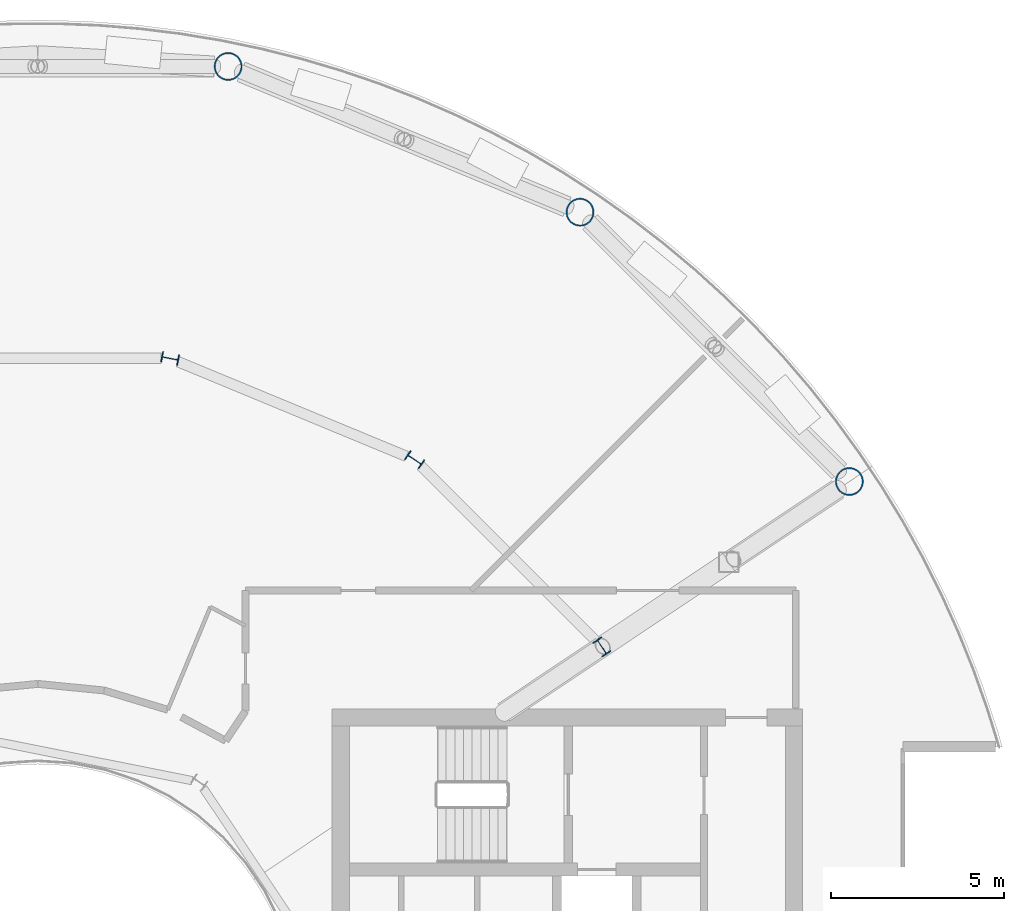
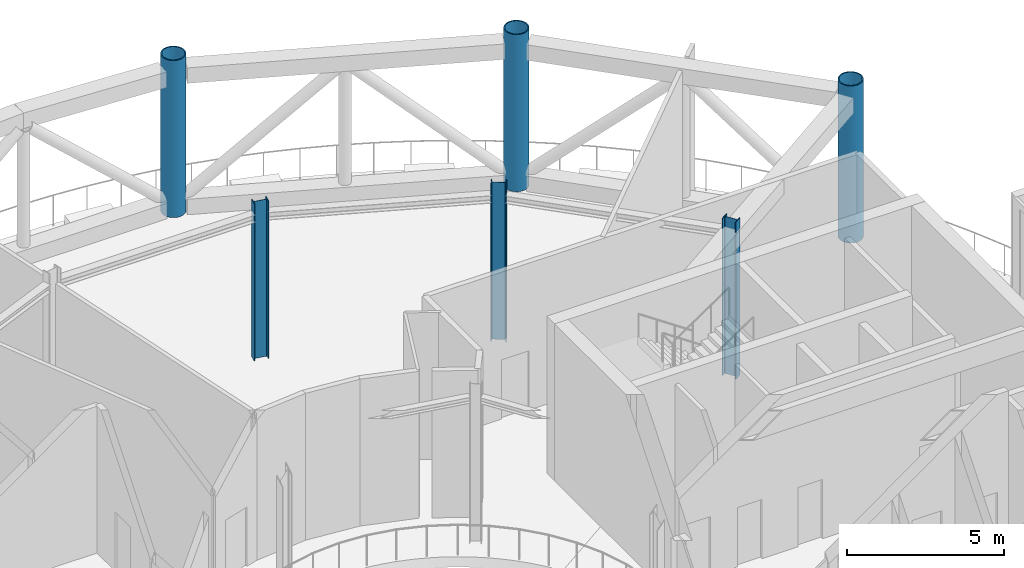
# One storey, part 4 of 24: 6 columns.
"""IFC4 building model written with IfcOpenShell, lengths in metres."""

from ifc_helpers import new_model, si_unit, direction, frame, origin, origin_2d, place, context, subcontext, project, spatial, hollow_circle, i_section, extrude, material, material_profile, profile_set, type_object, element, save


model = new_model("IFC4")

# Units and contexts
model_context = context("Model", 3, precision=1e-05, world=origin(), true_north=direction((0.0, 1.0)))
body_context = subcontext(model_context, "Body", "Model", "MODEL_VIEW")
ifc_project = project(units=[si_unit("LENGTHUNIT", "METRE"), si_unit("AREAUNIT", "SQUARE_METRE"), si_unit("VOLUMEUNIT", "CUBIC_METRE"), si_unit("PLANEANGLEUNIT", "RADIAN"), si_unit("MASSUNIT", "GRAM", prefix="KILO")], contexts=[model_context])

# Site, building, storey
site_placement = place(None, origin())
site = spatial("IfcSite", under=ifc_project, at=site_placement, CompositionType="ELEMENT")
building_placement = place(site_placement, origin())
building = spatial("IfcBuilding", under=site, at=building_placement, Name="Maasbend Ring Residences", CompositionType="ELEMENT")
storey_placement = place(building_placement, frame((0.0, 0.0, 179.89990234375)))
storey = spatial("IfcBuildingStorey", under=building, at=storey_placement, Name="L52", CompositionType="ELEMENT", Elevation=179.89990234375)

# Columns
ifc_material_1 = material(Name="Composite concrete-filled steel tube S460NH / C80/95", Category="concrete")
ifc_material_profile_1 = material_profile(ifc_material_1, hollow_circle(Radius=0.406494140625, WallThickness=0.0400390625, at=origin_2d()), Name="Composite tube column CHS 813x40")
ifc_profile_set_1 = profile_set([ifc_material_profile_1], Name="Composite concrete-filled steel tube S460NH / C80/95")
column_type_1 = type_object("IfcColumnType", Name="Composite tube column CHS 813x40", PredefinedType="COLUMN", material=ifc_profile_set_1)
for number, where, z_axis, x_axis, name in (
    (1, (23.447509765625, 15.6669921875, 0.0), (0.0, 0.0, 1.0), (1.0, 0.0, 0.0), "Outer column R2"),
    (2, (15.6669921875, 23.447509765625, 0.0), (0.0, 0.0, 1.0), (1.0, 0.0, 0.0), "Outer column R3"),
    (3, (5.50146484375, 27.658203125, 0.0), (0.0, 0.0, 1.0), (1.0, 0.0, 0.0), "Outer column R4"),
):
    element("IfcColumn", number, at=place(storey_placement, frame(where, z_axis=z_axis, x_axis=x_axis)), inside=storey, type_object=column_type_1, Name=name, PredefinedType="COLUMN", context=body_context, shape_type="SweptSolid", body=[
        extrude(hollow_circle(Radius=0.406494140625, WallThickness=0.0400390625, at=origin_2d()), origin(), (0.0, 0.0, 1.0), 6.10009765625),
    ])
ifc_material_2 = material(Name="Steel S355J2", Category="steel")
ifc_material_profile_2 = material_profile(ifc_material_2, i_section(OverallWidth=0.300048828125, OverallDepth=0.5, WebThickness=0.014404296875, FlangeThickness=0.028076171875, FilletRadius=0.027099609375, at=origin_2d()), Name="HEB 500")
ifc_profile_set_2 = profile_set([ifc_material_profile_2], Name="Steel S355J2")
column_type_2 = type_object("IfcColumnType", Name="Steel column HEB 500", PredefinedType="COLUMN", material=ifc_profile_set_2)
for number, where, z_axis, x_axis, name in (
    (4, (16.296875, 10.88916015625, 0.0), (0.0, 0.0, 1.0), (0.831469612303, 0.55557023302, 0.0), "Corridor ring column R2"),
    (5, (10.88916015625, 16.296875, 0.0), (0.0, 0.0, 1.0), (0.55557023302, 0.831469612303, 0.0), "Corridor ring column R3"),
    (6, (3.82373046875, 19.223388671875, 0.0), (0.0, 0.0, 1.0), (0.195090322016, 0.980785280403, 0.0), "Corridor ring column R4"),
):
    element("IfcColumn", number, at=place(storey_placement, frame(where, z_axis=z_axis, x_axis=x_axis)), inside=storey, type_object=column_type_2, Name=name, PredefinedType="COLUMN", context=body_context, shape_type="SweptSolid", body=[
        extrude(i_section(OverallWidth=0.300048828125, OverallDepth=0.5, WebThickness=0.014404296875, FlangeThickness=0.028076171875, FilletRadius=0.027099609375, at=origin_2d()), origin(), (0.0, 0.0, 1.0), 6.10009765625),
    ])

save(model, "model.ifc")
